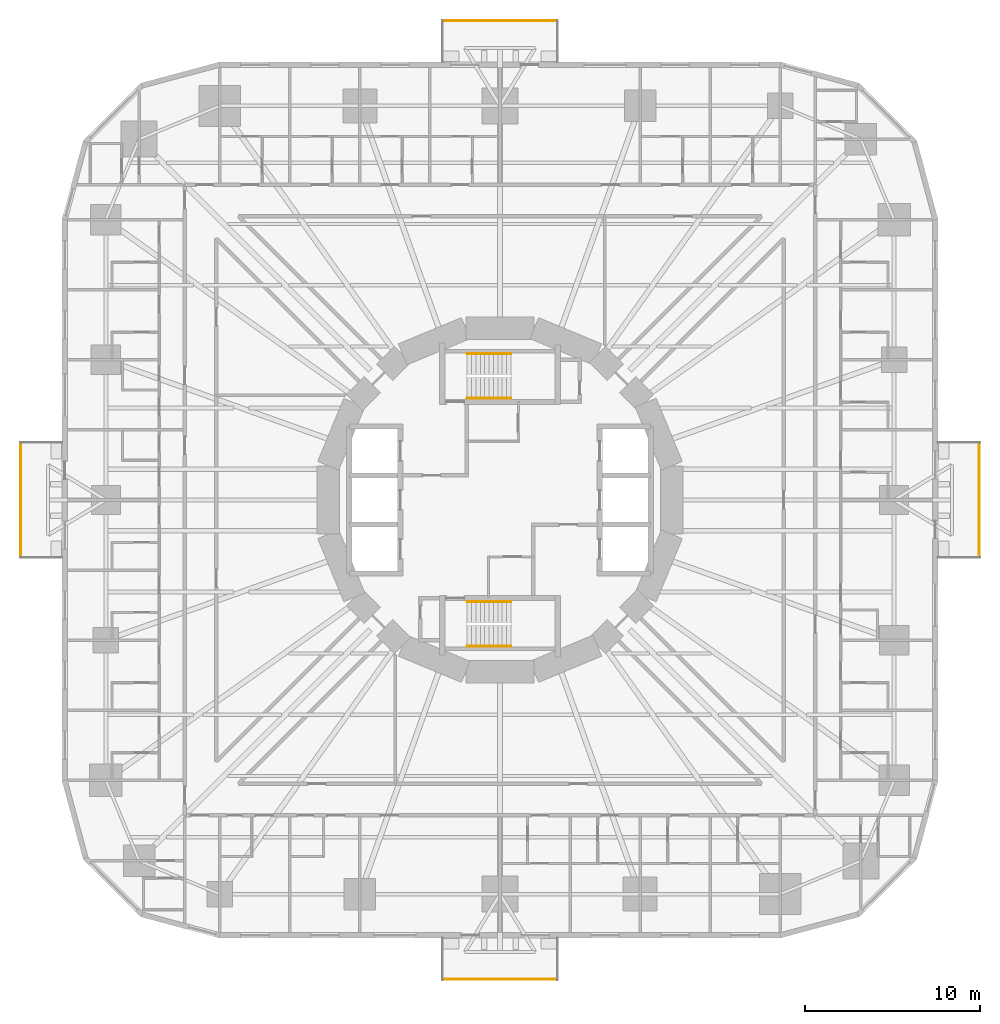
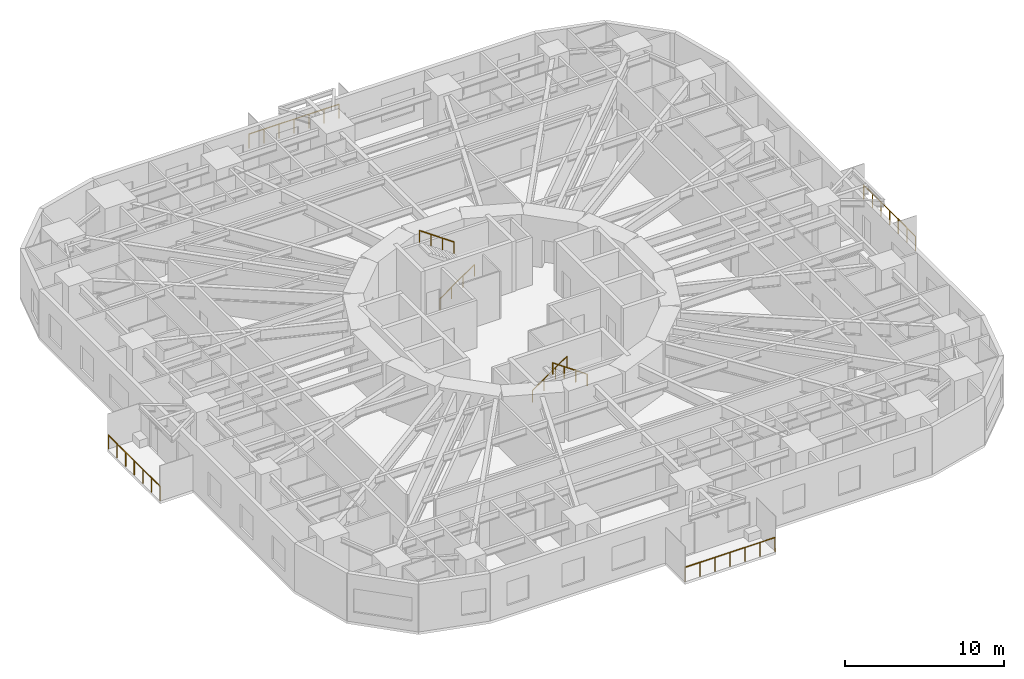
# One storey, part 13 of 14: 8 railings.
"""IFC4 building model written with IfcOpenShell, lengths in metres."""

from ifc_helpers import new_model, si_unit, direction, frame, origin, origin_2d, place, context, subcontext, project, spatial, circle, extrude, material, type_object, element, save


model = new_model("IFC4")

# Units and contexts
model_context = context("Model", 3, precision=1e-05, world=origin(), true_north=direction((0.0, 1.0)))
body_context = subcontext(model_context, "Body", "Model", "MODEL_VIEW")
ifc_project = project(units=[si_unit("LENGTHUNIT", "METRE"), si_unit("AREAUNIT", "SQUARE_METRE"), si_unit("VOLUMEUNIT", "CUBIC_METRE"), si_unit("PLANEANGLEUNIT", "RADIAN"), si_unit("MASSUNIT", "GRAM", prefix="KILO")], contexts=[model_context])

# Site, building, storey
site_placement = place(None, origin())
site = spatial("IfcSite", under=ifc_project, at=site_placement, CompositionType="ELEMENT")
building_placement = place(site_placement, origin())
building = spatial("IfcBuilding", under=site, at=building_placement, Name="Nakasero Lantern House", CompositionType="ELEMENT")
storey_placement = place(building_placement, frame((0.0, 0.0, 27.550048828125)))
storey = spatial("IfcBuildingStorey", under=building, at=storey_placement, Name="L06", CompositionType="ELEMENT", Elevation=27.550048828125)

# Railings
ifc_material_1 = material(Name="Aluminium 6063-T6", Category="aluminium")
railing_type_1 = type_object("IfcRailingType", Name="Balcony guard 1100", PredefinedType="BALUSTRADE", material=ifc_material_1)
railing_1_placement = place(storey_placement, frame((27.35009765625, -3.260009765625, 0.0)))
element("IfcRailing", 1, at=railing_1_placement, inside=storey, type_object=railing_type_1, Name="Balcony guard L06 BAL0", PredefinedType="BALUSTRADE", context=body_context, shape_type="SweptSolid", body=[
    extrude(circle(Radius=0.02392578125, at=origin_2d()), frame((0.0, 0.0, 1.076171875), z_axis=(0.0, 1.0, 0.0), x_axis=(-1.0, 0.0, 0.0)), (0.0, 0.0, 1.0), 6.52001953125),
    extrude(circle(Radius=0.02099609375, at=origin_2d()), origin(), (0.0, 0.0, 1.0), 1.052001953125),
    extrude(circle(Radius=0.02099609375, at=origin_2d()), frame((0.0, 1.086669921875, 0.0)), (0.0, 0.0, 1.0), 1.052001953125),
    extrude(circle(Radius=0.02099609375, at=origin_2d()), frame((0.0, 2.17333984375, 0.0)), (0.0, 0.0, 1.0), 1.052001953125),
    extrude(circle(Radius=0.02099609375, at=origin_2d()), frame((0.0, 3.260009765625, 0.0)), (0.0, 0.0, 1.0), 1.052001953125),
    extrude(circle(Radius=0.02099609375, at=origin_2d()), frame((0.0, 4.3466796875, 0.0)), (0.0, 0.0, 1.0), 1.052001953125),
    extrude(circle(Radius=0.02099609375, at=origin_2d()), frame((0.0, 5.433349609375, 0.0)), (0.0, 0.0, 1.0), 1.052001953125),
    extrude(circle(Radius=0.02099609375, at=origin_2d()), frame((0.0, 6.52001953125, 0.0)), (0.0, 0.0, 1.0), 1.052001953125),
])
railing_2_placement = place(storey_placement, frame((3.260009765625, 27.35009765625, 0.0)))
element("IfcRailing", 2, at=railing_2_placement, inside=storey, type_object=railing_type_1, Name="Balcony guard L06 BAL1", PredefinedType="BALUSTRADE", context=body_context, shape_type="SweptSolid", body=[
    extrude(circle(Radius=0.02392578125, at=origin_2d()), frame((0.0, 0.0, 1.076171875), z_axis=(-1.0, 0.0, 0.0), x_axis=(0.0, -1.0, 0.0)), (0.0, 0.0, 1.0), 6.52001953125),
    extrude(circle(Radius=0.02099609375, at=origin_2d()), origin(), (0.0, 0.0, 1.0), 1.052001953125),
    extrude(circle(Radius=0.02099609375, at=origin_2d()), frame((-1.086669921875, 0.0, 0.0)), (0.0, 0.0, 1.0), 1.052001953125),
    extrude(circle(Radius=0.02099609375, at=origin_2d()), frame((-2.17333984375, 0.0, 0.0)), (0.0, 0.0, 1.0), 1.052001953125),
    extrude(circle(Radius=0.02099609375, at=origin_2d()), frame((-3.260009765625, 0.0, 0.0)), (0.0, 0.0, 1.0), 1.052001953125),
    extrude(circle(Radius=0.02099609375, at=origin_2d()), frame((-4.3466796875, 0.0, 0.0)), (0.0, 0.0, 1.0), 1.052001953125),
    extrude(circle(Radius=0.02099609375, at=origin_2d()), frame((-5.433349609375, 0.0, 0.0)), (0.0, 0.0, 1.0), 1.052001953125),
    extrude(circle(Radius=0.02099609375, at=origin_2d()), frame((-6.52001953125, 0.0, 0.0)), (0.0, 0.0, 1.0), 1.052001953125),
])
railing_3_placement = place(storey_placement, frame((-27.35009765625, 3.260009765625, 0.0)))
element("IfcRailing", 3, at=railing_3_placement, inside=storey, type_object=railing_type_1, Name="Balcony guard L06 BAL2", PredefinedType="BALUSTRADE", context=body_context, shape_type="SweptSolid", body=[
    extrude(circle(Radius=0.02392578125, at=origin_2d()), frame((0.0, 0.0, 1.076171875), z_axis=(0.0, -1.0, 0.0), x_axis=(1.0, 0.0, 0.0)), (0.0, 0.0, 1.0), 6.52001953125),
    extrude(circle(Radius=0.02099609375, at=origin_2d()), origin(), (0.0, 0.0, 1.0), 1.052001953125),
    extrude(circle(Radius=0.02099609375, at=origin_2d()), frame((0.0, -1.086669921875, 0.0)), (0.0, 0.0, 1.0), 1.052001953125),
    extrude(circle(Radius=0.02099609375, at=origin_2d()), frame((0.0, -2.17333984375, 0.0)), (0.0, 0.0, 1.0), 1.052001953125),
    extrude(circle(Radius=0.02099609375, at=origin_2d()), frame((0.0, -3.260009765625, 0.0)), (0.0, 0.0, 1.0), 1.052001953125),
    extrude(circle(Radius=0.02099609375, at=origin_2d()), frame((0.0, -4.3466796875, 0.0)), (0.0, 0.0, 1.0), 1.052001953125),
    extrude(circle(Radius=0.02099609375, at=origin_2d()), frame((0.0, -5.433349609375, 0.0)), (0.0, 0.0, 1.0), 1.052001953125),
    extrude(circle(Radius=0.02099609375, at=origin_2d()), frame((0.0, -6.52001953125, 0.0)), (0.0, 0.0, 1.0), 1.052001953125),
])
railing_4_placement = place(storey_placement, frame((-3.260009765625, -27.35009765625, 0.0)))
element("IfcRailing", 4, at=railing_4_placement, inside=storey, type_object=railing_type_1, Name="Balcony guard L06 BAL3", PredefinedType="BALUSTRADE", context=body_context, shape_type="SweptSolid", body=[
    extrude(circle(Radius=0.02392578125, at=origin_2d()), frame((0.0, 0.0, 1.076171875), z_axis=(1.0, 0.0, 0.0), x_axis=(0.0, 1.0, 0.0)), (0.0, 0.0, 1.0), 6.52001953125),
    extrude(circle(Radius=0.02099609375, at=origin_2d()), origin(), (0.0, 0.0, 1.0), 1.052001953125),
    extrude(circle(Radius=0.02099609375, at=origin_2d()), frame((1.086669921875, 0.0, 0.0)), (0.0, 0.0, 1.0), 1.052001953125),
    extrude(circle(Radius=0.02099609375, at=origin_2d()), frame((2.17333984375, 0.0, 0.0)), (0.0, 0.0, 1.0), 1.052001953125),
    extrude(circle(Radius=0.02099609375, at=origin_2d()), frame((3.260009765625, 0.0, 0.0)), (0.0, 0.0, 1.0), 1.052001953125),
    extrude(circle(Radius=0.02099609375, at=origin_2d()), frame((4.3466796875, 0.0, 0.0)), (0.0, 0.0, 1.0), 1.052001953125),
    extrude(circle(Radius=0.02099609375, at=origin_2d()), frame((5.433349609375, 0.0, 0.0)), (0.0, 0.0, 1.0), 1.052001953125),
    extrude(circle(Radius=0.02099609375, at=origin_2d()), frame((6.52001953125, 0.0, 0.0)), (0.0, 0.0, 1.0), 1.052001953125),
])
ifc_material_2 = material(Name="Stainless steel 316", Category="steel")
railing_type_2 = type_object("IfcRailingType", Name="Stair handrail 900", PredefinedType="HANDRAIL", material=ifc_material_2)
railing_5_placement = place(storey_placement, frame((-1.875, 5.800048828125, 0.175048828125)))
element("IfcRailing", 5, at=railing_5_placement, inside=storey, type_object=railing_type_2, Name="Handrail ST1 L06 flight 1", PredefinedType="HANDRAIL", context=body_context, shape_type="SweptSolid", body=[
    extrude(circle(Radius=0.02392578125, at=origin_2d()), frame((0.0, 0.0, 0.8759765625), z_axis=(0.819231920519, 0.0, 0.573462344363), x_axis=(0.0, 1.0, 0.0)), (0.0, 0.0, 1.0), 3.0517578125),
    extrude(circle(Radius=0.02099609375, at=origin_2d()), origin(), (0.0, 0.0, 1.0), 0.851806640625),
    extrude(circle(Radius=0.02099609375, at=origin_2d()), frame((0.833251953125, 0.0, 0.583251953125)), (0.0, 0.0, 1.0), 0.851806640625),
    extrude(circle(Radius=0.02099609375, at=origin_2d()), frame((1.666748046875, 0.0, 1.166748046875)), (0.0, 0.0, 1.0), 0.851806640625),
    extrude(circle(Radius=0.02099609375, at=origin_2d()), frame((2.5, 0.0, 1.75)), (0.0, 0.0, 1.0), 0.851806640625),
])
railing_6_placement = place(storey_placement, frame((0.625, 8.35009765625, 2.099853515625)))
element("IfcRailing", 6, at=railing_6_placement, inside=storey, type_object=railing_type_2, Name="Handrail ST1 L06 flight 2", PredefinedType="HANDRAIL", context=body_context, shape_type="SweptSolid", body=[
    extrude(circle(Radius=0.02392578125, at=origin_2d()), frame((0.0, 0.0, 0.8759765625), z_axis=(-0.819231920519, 0.0, 0.573462344363), x_axis=(0.0, -1.0, 0.0)), (0.0, 0.0, 1.0), 3.0517578125),
    extrude(circle(Radius=0.02099609375, at=origin_2d()), origin(), (0.0, 0.0, 1.0), 0.851806640625),
    extrude(circle(Radius=0.02099609375, at=origin_2d()), frame((-0.833251953125, 0.0, 0.583251953125)), (0.0, 0.0, 1.0), 0.851806640625),
    extrude(circle(Radius=0.02099609375, at=origin_2d()), frame((-1.666748046875, 0.0, 1.166748046875)), (0.0, 0.0, 1.0), 0.851806640625),
    extrude(circle(Radius=0.02099609375, at=origin_2d()), frame((-2.5, 0.0, 1.75)), (0.0, 0.0, 1.0), 0.851806640625),
])
railing_7_placement = place(storey_placement, frame((-1.875, -5.800048828125, 0.175048828125)))
element("IfcRailing", 7, at=railing_7_placement, inside=storey, type_object=railing_type_2, Name="Handrail ST2 L06 flight 1", PredefinedType="HANDRAIL", context=body_context, shape_type="SweptSolid", body=[
    extrude(circle(Radius=0.02392578125, at=origin_2d()), frame((0.0, 0.0, 0.8759765625), z_axis=(0.819231920519, 0.0, 0.573462344363), x_axis=(0.0, 1.0, 0.0)), (0.0, 0.0, 1.0), 3.0517578125),
    extrude(circle(Radius=0.02099609375, at=origin_2d()), origin(), (0.0, 0.0, 1.0), 0.851806640625),
    extrude(circle(Radius=0.02099609375, at=origin_2d()), frame((0.833251953125, 0.0, 0.583251953125)), (0.0, 0.0, 1.0), 0.851806640625),
    extrude(circle(Radius=0.02099609375, at=origin_2d()), frame((1.666748046875, 0.0, 1.166748046875)), (0.0, 0.0, 1.0), 0.851806640625),
    extrude(circle(Radius=0.02099609375, at=origin_2d()), frame((2.5, 0.0, 1.75)), (0.0, 0.0, 1.0), 0.851806640625),
])
railing_8_placement = place(storey_placement, frame((0.625, -8.35009765625, 2.099853515625)))
element("IfcRailing", 8, at=railing_8_placement, inside=storey, type_object=railing_type_2, Name="Handrail ST2 L06 flight 2", PredefinedType="HANDRAIL", context=body_context, shape_type="SweptSolid", body=[
    extrude(circle(Radius=0.02392578125, at=origin_2d()), frame((0.0, 0.0, 0.8759765625), z_axis=(-0.819231920519, 0.0, 0.573462344363), x_axis=(0.0, -1.0, 0.0)), (0.0, 0.0, 1.0), 3.0517578125),
    extrude(circle(Radius=0.02099609375, at=origin_2d()), origin(), (0.0, 0.0, 1.0), 0.851806640625),
    extrude(circle(Radius=0.02099609375, at=origin_2d()), frame((-0.833251953125, 0.0, 0.583251953125)), (0.0, 0.0, 1.0), 0.851806640625),
    extrude(circle(Radius=0.02099609375, at=origin_2d()), frame((-1.666748046875, 0.0, 1.166748046875)), (0.0, 0.0, 1.0), 0.851806640625),
    extrude(circle(Radius=0.02099609375, at=origin_2d()), frame((-2.5, 0.0, 1.75)), (0.0, 0.0, 1.0), 0.851806640625),
])

save(model, "model.ifc")
